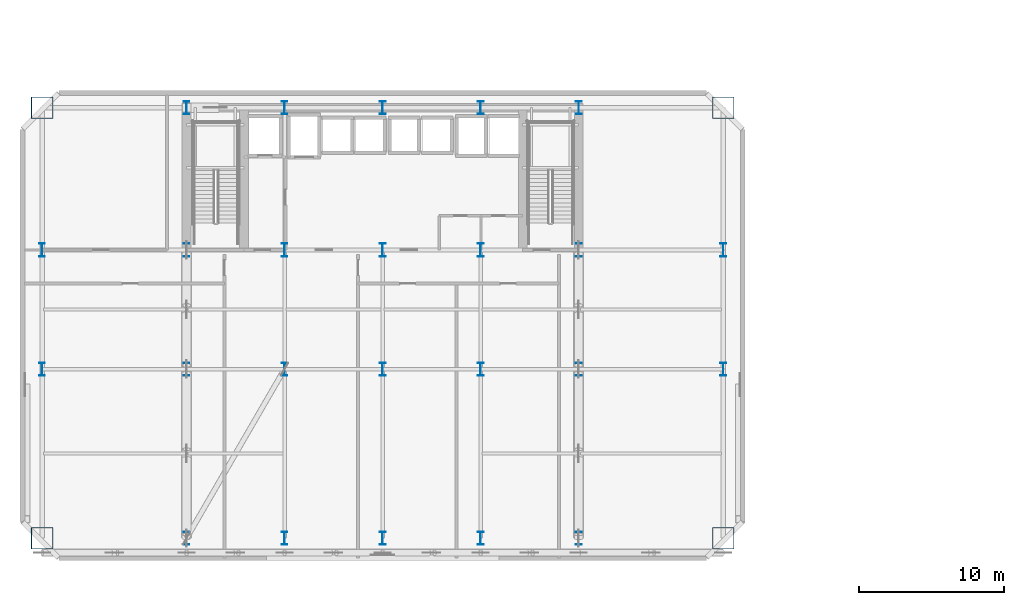
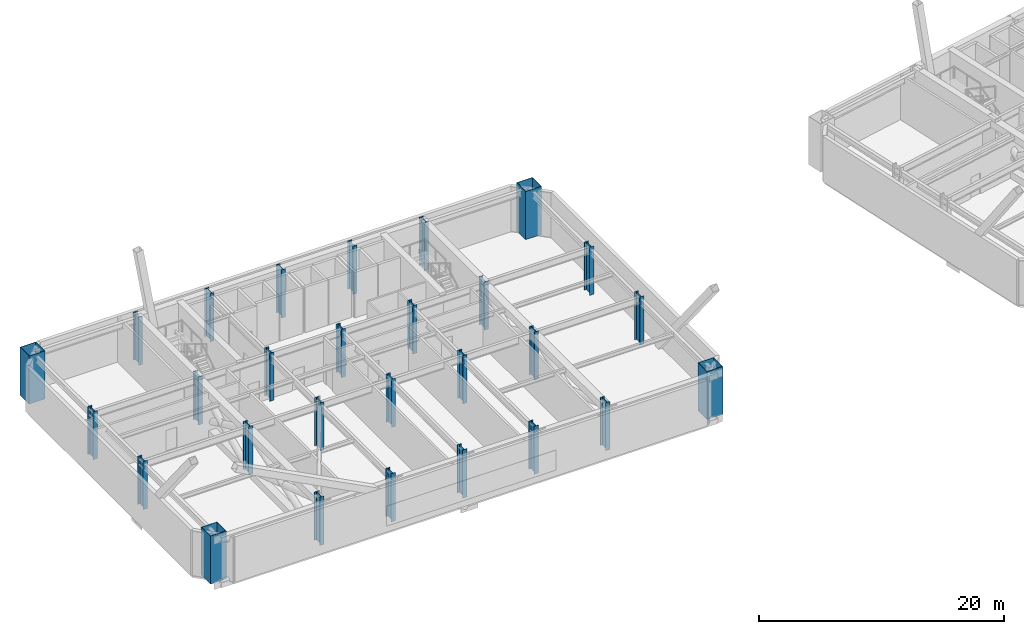
# One storey, part 1 of 17: 28 columns.
"""IFC4 building model written with IfcOpenShell, lengths in metres."""

import ifcopenshell
import ifcopenshell.guid

model = None  # the IFC model being written
_history = None  # IfcOwnerHistory: only IFC2X3 demands one
_inside = {}  # id of a spatial element -> (the spatial element, [elements in it])
_under = {}  # id of a project, library or spatial element -> (it, [spatial elements below it])
_declared = {}  # id of a project -> (the project, [libraries it declares])
_typed = {}  # id of a type object -> (the type object, [elements of that type])
_made_of = {}  # id of a material, layer set ... -> (it, [elements and type objects made of it])


def new_model(schema):
    """Start an empty IFC model of exactly this schema.

    Asked for "IFC4X3", IfcOpenShell would pick the latest addendum, in which some entities
    have other attributes; the version numbers below select the first issue.
    IFC2X3 requires an IfcOwnerHistory on every rooted entity: one is made here for all.
    """
    global model, _history
    if schema == "IFC4X3":
        model = ifcopenshell.file(schema_version=(4, 3, 0, 0))
    else:
        model = ifcopenshell.file(schema=schema)
    _inside.clear()
    _under.clear()
    _declared.clear()
    _typed.clear()
    _made_of.clear()
    _history = None
    if model.schema == "IFC2X3":
        org = make("IfcOrganization", Name="unknown")
        user = make(
            "IfcPersonAndOrganization",
            ThePerson=make("IfcPerson", FamilyName="unknown"),
            TheOrganization=org,
        )
        app = make(
            "IfcApplication",
            ApplicationDeveloper=org,
            Version="unknown",
            ApplicationFullName="unknown",
            ApplicationIdentifier="unknown",
        )
        _history = make(
            "IfcOwnerHistory",
            OwningUser=user,
            OwningApplication=app,
            ChangeAction="ADDED",
            CreationDate=0,
        )
    return model


def make(cls, **values):
    """One entity of the class cls with the attributes given. An attribute that is None is left unset."""
    return model.create_entity(
        cls, **{name: value for name, value in values.items() if value is not None}
    )


def rooted(cls, **values):
    """An entity with a GlobalId (a new one), such as an element, a storey or a relation."""
    return make(cls, GlobalId=ifcopenshell.guid.new(), OwnerHistory=_history, **values)


def si_unit(unit_type, name, prefix=None):
    """IfcSIUnit, for example si_unit("LENGTHUNIT", "METRE", prefix="MILLI")."""
    return make("IfcSIUnit", UnitType=unit_type, Prefix=prefix, Name=name)


def assignment(units):
    """IfcUnitAssignment: the units of a project."""
    return None if units is None else make("IfcUnitAssignment", Units=units)


def point(xyz):
    """IfcCartesianPoint."""
    return None if xyz is None else make("IfcCartesianPoint", Coordinates=xyz)


def direction(xyz):
    """IfcDirection."""
    return None if xyz is None else make("IfcDirection", DirectionRatios=xyz)


def frame(location, z_axis=None, x_axis=None):
    """IfcAxis2Placement3D, a coordinate frame: its origin and axes. An axis left out is left unset."""
    return make(
        "IfcAxis2Placement3D",
        Location=point(location),
        Axis=direction(z_axis),
        RefDirection=direction(x_axis),
    )


def frame_2d(location, x_axis=None):
    """IfcAxis2Placement2D, a coordinate frame in the plane: its origin and x axis."""
    return make(
        "IfcAxis2Placement2D", Location=point(location), RefDirection=direction(x_axis)
    )


def origin():
    """The frame at (0, 0, 0) with its axes left unset."""
    return frame((0.0, 0.0, 0.0))


def origin_2d():
    """The frame at (0, 0) in the plane with its x axis left unset."""
    return frame_2d((0.0, 0.0))


def place(relative_to, where):
    """IfcLocalPlacement: puts the frame where relative to a parent placement (None: the world)."""
    return make(
        "IfcLocalPlacement", PlacementRelTo=relative_to, RelativePlacement=where
    )


def context(
    kind, dimensions, precision=None, world=None, true_north=None, identifier=None
):
    """IfcGeometricRepresentationContext, for example the 3D "Model" context."""
    return make(
        "IfcGeometricRepresentationContext",
        ContextIdentifier=identifier,
        ContextType=kind,
        CoordinateSpaceDimension=dimensions,
        Precision=precision,
        WorldCoordinateSystem=world,
        TrueNorth=true_north,
    )


def subcontext(parent, identifier, kind, view, scale=None):
    """IfcGeometricRepresentationSubContext, for example "Body" below "Model"."""
    return make(
        "IfcGeometricRepresentationSubContext",
        ContextIdentifier=identifier,
        ContextType=kind,
        ParentContext=parent,
        TargetScale=scale,
        TargetView=view,
    )


def project(units=None, contexts=None):
    """IfcProject with its units and contexts."""
    return rooted(
        "IfcProject",
        Name="project",
        RepresentationContexts=contexts,
        UnitsInContext=assignment(units),
    )


def spatial(cls, under=None, at=None, **own):
    """A site, building, storey or space (cls), placed at a placement, below another one or the project."""
    s = rooted(cls, ObjectPlacement=at, **own)
    if under is not None:
        _under.setdefault(under.id(), (under, []))[1].append(s)
    return s


def profile(cls, at=None, kind="AREA", **sizes):
    """A parametric profile (cls). Its sizes go by their IFC names, for example OverallWidth=200.0."""
    return make(cls, ProfileType=kind, Position=at, **sizes)


def hollow_rectangle(**sizes):
    """IfcRectangleHollowProfileDef."""
    return profile("IfcRectangleHollowProfileDef", **sizes)


def i_section(**sizes):
    """IfcIShapeProfileDef."""
    return profile("IfcIShapeProfileDef", **sizes)


def extrude(swept, where, along, depth):
    """IfcExtrudedAreaSolid: the profile swept, set in the frame where, extruded along a direction by depth."""
    return make(
        "IfcExtrudedAreaSolid",
        SweptArea=swept,
        Position=where,
        ExtrudedDirection=direction(along),
        Depth=depth,
    )


def shape(context_of_items, identifier, shape_type, items):
    """IfcShapeRepresentation: the items that make up one representation, for example the "Body"."""
    return make(
        "IfcShapeRepresentation",
        ContextOfItems=context_of_items,
        RepresentationIdentifier=identifier,
        RepresentationType=shape_type,
        Items=items,
    )


def material(Name=None, Category=None):
    """IfcMaterial."""
    return make("IfcMaterial", Name=Name, Category=Category)


def material_profile(
    of_material, cross_section, Name=None, Category=None, Priority=None
):
    """IfcMaterialProfile: a cross section and its material."""
    return make(
        "IfcMaterialProfile",
        Name=Name,
        Material=of_material,
        Profile=cross_section,
        Priority=Priority,
        Category=Category,
    )


def profile_set(profiles, Name=None, composite=None):
    """IfcMaterialProfileSet."""
    return make(
        "IfcMaterialProfileSet",
        Name=Name,
        MaterialProfiles=profiles,
        CompositeProfile=composite,
    )


def made_of(thing, what):
    """Note that an element or type object is made of a material, layer set ...; save() writes the relation."""
    if what is not None:
        _made_of.setdefault(what.id(), (what, []))[1].append(thing)
    return thing


def type_object(cls, material=None, **own):
    """A type object (cls), such as IfcWallType, which elements share."""
    return made_of(rooted(cls, **own), material)


def element(
    cls,
    number,
    at=None,
    inside=None,
    cuts=None,
    type_object=None,
    material=None,
    context=None,
    identifier="Body",
    shape_type=None,
    held_by="IfcProductDefinitionShape",
    body=None,
    shapes=None,
    **own,
):
    """One element of the class cls, such as IfcWall. Its Tag is "e" and its number.

    at: its placement. inside: the storey or other place that contains it. cuts: it is an
    opening in that element (IfcRelVoidsElement). A single representation is given by context,
    identifier, shape_type and body (its items); several are given by shapes. held_by: the class
    of the entity that holds the representations. save() writes the other relations.
    """
    e = rooted(cls, Tag="e%d" % number, ObjectPlacement=at, **own)
    if body is not None:
        shapes = [shape(context, identifier, shape_type, body)]
    if shapes is not None:
        e.Representation = make(held_by, Representations=shapes)
    if inside is not None:
        _inside.setdefault(inside.id(), (inside, []))[1].append(e)
    if cuts is not None:
        rooted(
            "IfcRelVoidsElement", RelatingBuildingElement=cuts, RelatedOpeningElement=e
        )
    if type_object is not None:
        _typed.setdefault(type_object.id(), (type_object, []))[1].append(e)
    return made_of(e, material)


def aggregate(whole, parts):
    """IfcRelAggregates: a whole, such as a stair, and the parts it consists of."""
    return rooted("IfcRelAggregates", RelatingObject=whole, RelatedObjects=parts)


def save(model, path):
    """Write the relations noted so far, then the file.

    IfcRelAggregates (storeys below a building ...), IfcRelContainedInSpatialStructure (elements
    in a storey), IfcRelDefinesByType, IfcRelAssociatesMaterial and IfcRelDeclares: one each for
    every whole, place, type object, material and project.
    """
    for whole, parts in _under.values():
        aggregate(whole, parts)
    for where, things in _inside.values():
        rooted(
            "IfcRelContainedInSpatialStructure",
            RelatedElements=things,
            RelatingStructure=where,
        )
    for kind, things in _typed.values():
        rooted("IfcRelDefinesByType", RelatedObjects=things, RelatingType=kind)
    for what, things in _made_of.values():
        rooted("IfcRelAssociatesMaterial", RelatedObjects=things, RelatingMaterial=what)
    for by, libraries in _declared.values():
        rooted("IfcRelDeclares", RelatingContext=by, RelatedDefinitions=libraries)
    model.write(path)


model = new_model("IFC4")

# Units and contexts
model_context = context("Model", 3, precision=1e-05, world=origin(), true_north=direction((0.0, 1.0)))
body_context = subcontext(model_context, "Body", "Model", "MODEL_VIEW")
ifc_project = project(units=[si_unit("LENGTHUNIT", "METRE"), si_unit("AREAUNIT", "SQUARE_METRE"), si_unit("VOLUMEUNIT", "CUBIC_METRE"), si_unit("PLANEANGLEUNIT", "RADIAN"), si_unit("MASSUNIT", "GRAM", prefix="KILO")], contexts=[model_context])

# Site, building, storey
site_placement = place(None, origin())
site = spatial("IfcSite", under=ifc_project, at=site_placement, CompositionType="ELEMENT")
building_placement = place(site_placement, origin())
building = spatial("IfcBuilding", under=site, at=building_placement, Name="Haevon Station Towers", CompositionType="ELEMENT")
storey_placement = place(building_placement, frame((0.0, 0.0, 81.89990234375)))
storey = spatial("IfcBuildingStorey", under=building, at=storey_placement, Name="L21", CompositionType="ELEMENT", Elevation=81.89990234375)

# Columns
ifc_material = material(Name="Steel S460", Category="steel")
ifc_material_profile_1 = material_profile(ifc_material, hollow_rectangle(XDim=1.5, YDim=1.5, WallThickness=0.0400390625, at=origin_2d()), Name="BOX-1500x1500x40")
ifc_profile_set_1 = profile_set([ifc_material_profile_1], Name="Steel S460")
column_type_1 = type_object("IfcColumnType", Name="COL-MC2", PredefinedType="COLUMN", material=ifc_profile_set_1)
for number, where, z_axis, x_axis, name in (
    (1, (14.050048828125, 18.35009765625, 0.0), (0.0, 0.0, 1.0), (1.0, 0.0, 0.0), "COL-T1-L21-01-01"),
    (2, (14.050048828125, 48.0, 0.0), (0.0, 0.0, 1.0), (1.0, 0.0, 0.0), "COL-T1-L21-01-04"),
    (3, (60.949951171875, 18.35009765625, 0.0), (0.0, 0.0, 1.0), (1.0, 0.0, 0.0), "COL-T1-L21-07-01"),
    (4, (60.949951171875, 48.0, 0.0), (0.0, 0.0, 1.0), (1.0, 0.0, 0.0), "COL-T1-L21-07-04"),
):
    element("IfcColumn", number, at=place(storey_placement, frame(where, z_axis=z_axis, x_axis=x_axis)), inside=storey, type_object=column_type_1, Name=name, PredefinedType="COLUMN", context=body_context, shape_type="SweptSolid", body=[
        extrude(hollow_rectangle(XDim=1.5, YDim=1.5, WallThickness=0.0400390625, at=origin_2d()), origin(), (0.0, 0.0, 1.0), 4.800048828125),
    ])
ifc_material_profile_2 = material_profile(ifc_material, i_section(OverallWidth=0.39990234375, OverallDepth=0.89990234375, WebThickness=0.02001953125, FlangeThickness=0.035888671875, at=origin_2d()), Name="H-900x400x20x36")
ifc_profile_set_2 = profile_set([ifc_material_profile_2], Name="Steel S460")
column_type_2 = type_object("IfcColumnType", Name="COL-TW1", PredefinedType="COLUMN", material=ifc_profile_set_2)
for number, where, z_axis, x_axis, name in (
    (5, (14.050048828125, 30.0, 0.0), (0.0, 0.0, 1.0), (1.0, 0.0, 0.0), "COL-T1-L21-01-02"),
    (6, (14.050048828125, 38.199951171875, 0.0), (0.0, 0.0, 1.0), (1.0, 0.0, 0.0), "COL-T1-L21-01-03"),
    (7, (24.0, 18.35009765625, 0.0), (0.0, 0.0, 1.0), (1.0, 0.0, 0.0), "COL-T1-L21-02-01"),
    (8, (24.0, 30.0, 0.0), (0.0, 0.0, 1.0), (1.0, 0.0, 0.0), "COL-T1-L21-02-02"),
    (9, (24.0, 38.199951171875, 0.0), (0.0, 0.0, 1.0), (1.0, 0.0, 0.0), "COL-T1-L21-02-03"),
    (10, (24.0, 48.0, 0.0), (0.0, 0.0, 1.0), (1.0, 0.0, 0.0), "COL-T1-L21-02-04"),
    (11, (30.75, 18.35009765625, 0.0), (0.0, 0.0, 1.0), (1.0, 0.0, 0.0), "COL-T1-L21-03-01"),
    (12, (30.75, 30.0, 0.0), (0.0, 0.0, 1.0), (1.0, 0.0, 0.0), "COL-T1-L21-03-02"),
    (13, (30.75, 38.199951171875, 0.0), (0.0, 0.0, 1.0), (1.0, 0.0, 0.0), "COL-T1-L21-03-03"),
    (14, (30.75, 48.0, 0.0), (0.0, 0.0, 1.0), (1.0, 0.0, 0.0), "COL-T1-L21-03-04"),
    (15, (37.5, 18.35009765625, 0.0), (0.0, 0.0, 1.0), (1.0, 0.0, 0.0), "COL-T1-L21-04-01"),
    (16, (37.5, 30.0, 0.0), (0.0, 0.0, 1.0), (1.0, 0.0, 0.0), "COL-T1-L21-04-02"),
    (17, (37.5, 38.199951171875, 0.0), (0.0, 0.0, 1.0), (1.0, 0.0, 0.0), "COL-T1-L21-04-03"),
    (18, (37.5, 48.0, 0.0), (0.0, 0.0, 1.0), (1.0, 0.0, 0.0), "COL-T1-L21-04-04"),
    (19, (44.25, 18.35009765625, 0.0), (0.0, 0.0, 1.0), (1.0, 0.0, 0.0), "COL-T1-L21-05-01"),
    (20, (44.25, 30.0, 0.0), (0.0, 0.0, 1.0), (1.0, 0.0, 0.0), "COL-T1-L21-05-02"),
    (21, (44.25, 38.199951171875, 0.0), (0.0, 0.0, 1.0), (1.0, 0.0, 0.0), "COL-T1-L21-05-03"),
    (22, (44.25, 48.0, 0.0), (0.0, 0.0, 1.0), (1.0, 0.0, 0.0), "COL-T1-L21-05-04"),
    (23, (51.0, 18.35009765625, 0.0), (0.0, 0.0, 1.0), (1.0, 0.0, 0.0), "COL-T1-L21-06-01"),
    (24, (51.0, 30.0, 0.0), (0.0, 0.0, 1.0), (1.0, 0.0, 0.0), "COL-T1-L21-06-02"),
    (25, (51.0, 38.199951171875, 0.0), (0.0, 0.0, 1.0), (1.0, 0.0, 0.0), "COL-T1-L21-06-03"),
    (26, (51.0, 48.0, 0.0), (0.0, 0.0, 1.0), (1.0, 0.0, 0.0), "COL-T1-L21-06-04"),
    (27, (60.949951171875, 30.0, 0.0), (0.0, 0.0, 1.0), (1.0, 0.0, 0.0), "COL-T1-L21-07-02"),
    (28, (60.949951171875, 38.199951171875, 0.0), (0.0, 0.0, 1.0), (1.0, 0.0, 0.0), "COL-T1-L21-07-03"),
):
    element("IfcColumn", number, at=place(storey_placement, frame(where, z_axis=z_axis, x_axis=x_axis)), inside=storey, type_object=column_type_2, Name=name, PredefinedType="COLUMN", context=body_context, shape_type="SweptSolid", body=[
        extrude(i_section(OverallWidth=0.39990234375, OverallDepth=0.89990234375, WebThickness=0.02001953125, FlangeThickness=0.035888671875, at=origin_2d()), origin(), (0.0, 0.0, 1.0), 4.800048828125),
    ])

save(model, "model.ifc")
